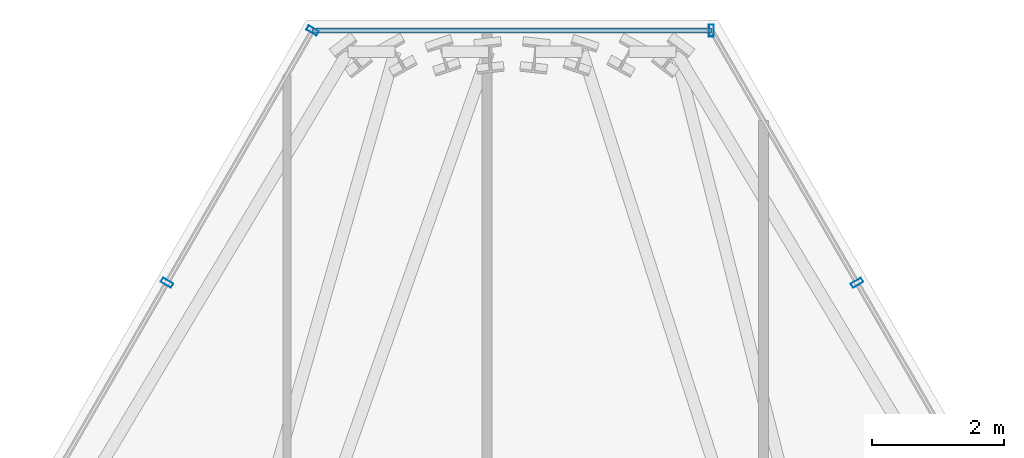
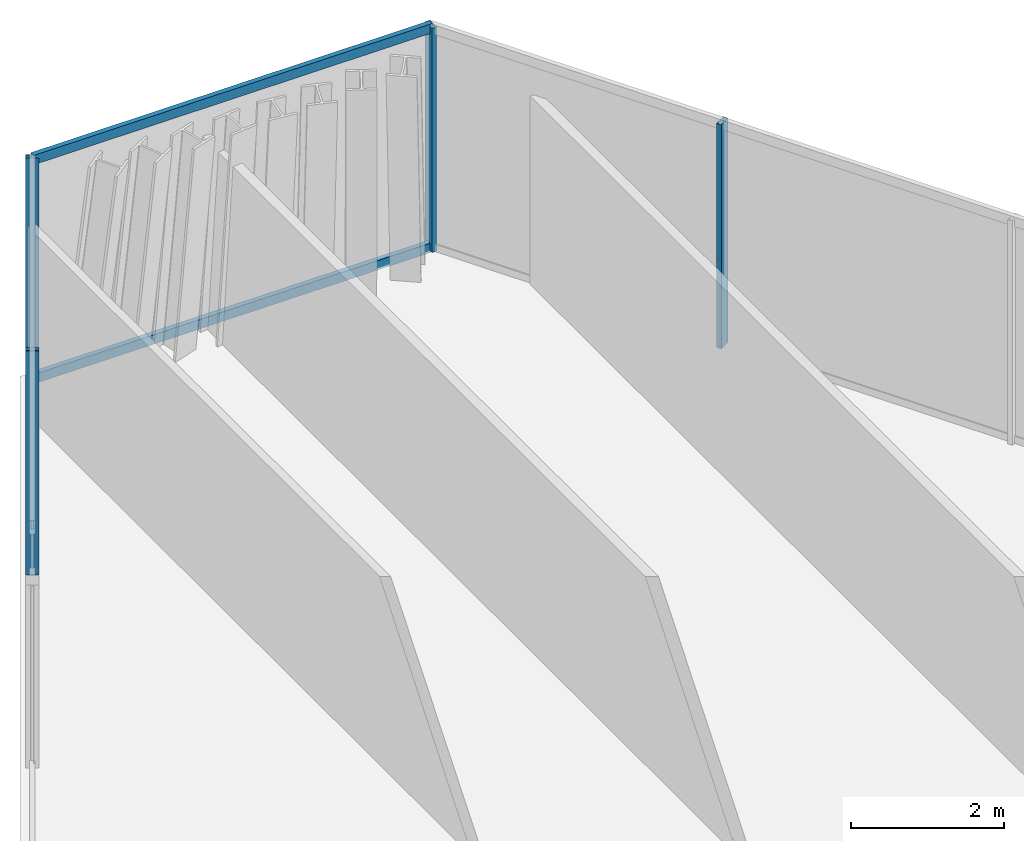
# One storey, part 25 of 32: 6 members, 3 elements without a shape of their own.
"""IFC4 building model written with IfcOpenShell, lengths in metres."""

from ifc_helpers import new_model, si_unit, direction, frame, origin, origin_2d, place, context, subcontext, project, spatial, hollow_rectangle, extrude, material, layer, layer_set, material_profile, profile_set, type_object, element, aggregate, save


model = new_model("IFC4")

# Units and contexts
model_context = context("Model", 3, precision=1e-05, world=origin(), true_north=direction((0.0, 1.0)))
body_context = subcontext(model_context, "Body", "Model", "MODEL_VIEW")
ifc_project = project(units=[si_unit("LENGTHUNIT", "METRE"), si_unit("AREAUNIT", "SQUARE_METRE"), si_unit("VOLUMEUNIT", "CUBIC_METRE"), si_unit("PLANEANGLEUNIT", "RADIAN"), si_unit("MASSUNIT", "GRAM", prefix="KILO")], contexts=[model_context])

# Site, building, storey
site_placement = place(None, origin())
site = spatial("IfcSite", under=ifc_project, at=site_placement, CompositionType="ELEMENT")
building_placement = place(site_placement, origin())
building = spatial("IfcBuilding", under=site, at=building_placement, Name="Ndaravel Arena Tower", CompositionType="ELEMENT")
storey_placement = place(building_placement, frame((0.0, 0.0, 259.800048828125)))
storey = spatial("IfcBuildingStorey", under=building, at=storey_placement, Name="L63", CompositionType="ELEMENT", Elevation=259.800048828125)

# Curtain wall, member
ifc_material_1 = material(Name="Aluminium", Category="aluminium")
ifc_layer_1 = layer(ifc_material_1, 0.179931640625)
ifc_layer_set_1 = layer_set([ifc_layer_1], Name="Aluminium")
curtain_wall_type_1 = type_object("IfcCurtainWallType", Name="CW-SYS-03", PredefinedType="NOTDEFINED", material=ifc_layer_set_1)
curtain_wall_1_placement = place(storey_placement, origin())
curtain_wall_1 = element("IfcCurtainWall", 1, at=curtain_wall_1_placement, inside=storey, type_object=curtain_wall_type_1, Name="L63 Faceted Crystal Curtain Wall CW-L63-E03", PredefinedType="NOTDEFINED")
ifc_material_2 = material(Name="Aluminium", Category="aluminium")
ifc_material_profile_1 = material_profile(ifc_material_2, hollow_rectangle(XDim=0.074951171875, YDim=0.179931640625, WallThickness=0.00390625, at=origin_2d()), Name="CW MULLION 75x180x4")
ifc_profile_set_1 = profile_set([ifc_material_profile_1], Name="Aluminium")
member_type_1 = type_object("IfcMemberType", Name="MEM-CW-MUL180", PredefinedType="MULLION", material=ifc_profile_set_1)
member_1_placement = place(storey_placement, frame((47.214111328125, 40.868408203125, 0.0), z_axis=(0.0, 0.0, 1.0), x_axis=(-0.5, 0.866025403784, 0.0)))
member_1 = element("IfcMember", 2, at=member_1_placement, type_object=member_type_1, Name="CW-L63-E03 Mullion 08", PredefinedType="MULLION", context=body_context, shape_type="SweptSolid", body=[
    extrude(hollow_rectangle(XDim=0.074951171875, YDim=0.179931640625, WallThickness=0.00390625, at=origin_2d()), origin(), (0.0, 0.0, 1.0), 3.579833984375),
])
aggregate(curtain_wall_1, [member_1])

ifc_material_3 = material(Name="Aluminium", Category="aluminium")
ifc_layer_2 = layer(ifc_material_3, 0.179931640625)
ifc_layer_set_2 = layer_set([ifc_layer_2], Name="Aluminium")
curtain_wall_type_2 = type_object("IfcCurtainWallType", Name="CW-SYS-01", PredefinedType="NOTDEFINED", material=ifc_layer_set_2)
curtain_wall_2_placement = place(storey_placement, origin())
curtain_wall_2 = element("IfcCurtainWall", 3, at=curtain_wall_2_placement, inside=storey, type_object=curtain_wall_type_2, Name="L63 Faceted Crystal Curtain Wall CW-L63-E04", PredefinedType="NOTDEFINED")
member_2_placement = place(storey_placement, frame((45.013671875, 44.679443359375, 0.0), z_axis=(0.0, 0.0, 1.0), x_axis=(-1.0, 0.0, 0.0)))
member_2 = element("IfcMember", 4, at=member_2_placement, type_object=member_type_1, Name="CW-L63-E04 Mullion 00", PredefinedType="MULLION", context=body_context, shape_type="SweptSolid", body=[
    extrude(hollow_rectangle(XDim=0.074951171875, YDim=0.179931640625, WallThickness=0.00390625, at=origin_2d()), origin(), (0.0, 0.0, 1.0), 3.579833984375),
])

# Curtain wall, members
curtain_wall_3_placement = place(storey_placement, origin())
curtain_wall_3 = element("IfcCurtainWall", 5, at=curtain_wall_3_placement, inside=storey, type_object=curtain_wall_type_1, Name="L63 Faceted Crystal Curtain Wall CW-L63-E05", PredefinedType="NOTDEFINED")
member_3_placement = place(storey_placement, frame((38.986328125, 44.679443359375, 0.0), z_axis=(0.0, 0.0, 1.0), x_axis=(-0.5, -0.866025403784, 0.0)))
member_3 = element("IfcMember", 6, at=member_3_placement, type_object=member_type_1, Name="CW-L63-E05 Mullion 00", PredefinedType="MULLION", context=body_context, shape_type="SweptSolid", body=[
    extrude(hollow_rectangle(XDim=0.074951171875, YDim=0.179931640625, WallThickness=0.00390625, at=origin_2d()), origin(), (0.0, 0.0, 1.0), 3.579833984375),
])
member_4_placement = place(storey_placement, frame((36.785888671875, 40.868408203125, 0.0), z_axis=(0.0, 0.0, 1.0), x_axis=(-0.5, -0.866025403784, 0.0)))
member_4 = element("IfcMember", 7, at=member_4_placement, type_object=member_type_1, Name="CW-L63-E05 Mullion 01", PredefinedType="MULLION", context=body_context, shape_type="SweptSolid", body=[
    extrude(hollow_rectangle(XDim=0.074951171875, YDim=0.179931640625, WallThickness=0.00390625, at=origin_2d()), origin(), (0.0, 0.0, 1.0), 3.579833984375),
])
aggregate(curtain_wall_3, [member_3, member_4])

# Member
ifc_material_4 = material(Name="Aluminium", Category="aluminium")
ifc_material_profile_2 = material_profile(ifc_material_4, hollow_rectangle(XDim=0.074951171875, YDim=0.14990234375, WallThickness=0.00390625, at=origin_2d()), Name="CW TRANSOM 75x150x4")
ifc_profile_set_2 = profile_set([ifc_material_profile_2], Name="Aluminium")
member_type_2 = type_object("IfcMemberType", Name="MEM-CW-TRN150", PredefinedType="USERDEFINED", material=ifc_profile_set_2)
member_5_placement = place(storey_placement, frame((45.013671875, 44.679443359375, 0.0400390625), z_axis=(-1.0, 0.0, 0.0), x_axis=(0.0, -1.0, 0.0)))
member_5 = element("IfcMember", 8, at=member_5_placement, type_object=member_type_2, Name="CW-L63-E04 Transom 01", ObjectType="TRANSOM", PredefinedType="USERDEFINED", context=body_context, shape_type="SweptSolid", body=[
    extrude(hollow_rectangle(XDim=0.074951171875, YDim=0.14990234375, WallThickness=0.00390625, at=origin_2d()), origin(), (0.0, 0.0, 1.0), 6.02734375),
])

member_6_placement = place(storey_placement, frame((45.013671875, 44.679443359375, 3.5400390625), z_axis=(-1.0, 0.0, 0.0), x_axis=(0.0, -1.0, 0.0)))
member_6 = element("IfcMember", 9, at=member_6_placement, type_object=member_type_2, Name="CW-L63-E04 Transom 02", ObjectType="TRANSOM", PredefinedType="USERDEFINED", context=body_context, shape_type="SweptSolid", body=[
    extrude(hollow_rectangle(XDim=0.074951171875, YDim=0.14990234375, WallThickness=0.00390625, at=origin_2d()), origin(), (0.0, 0.0, 1.0), 6.02734375),
])

aggregate(curtain_wall_2, [member_2, member_5, member_6])

save(model, "model.ifc")
